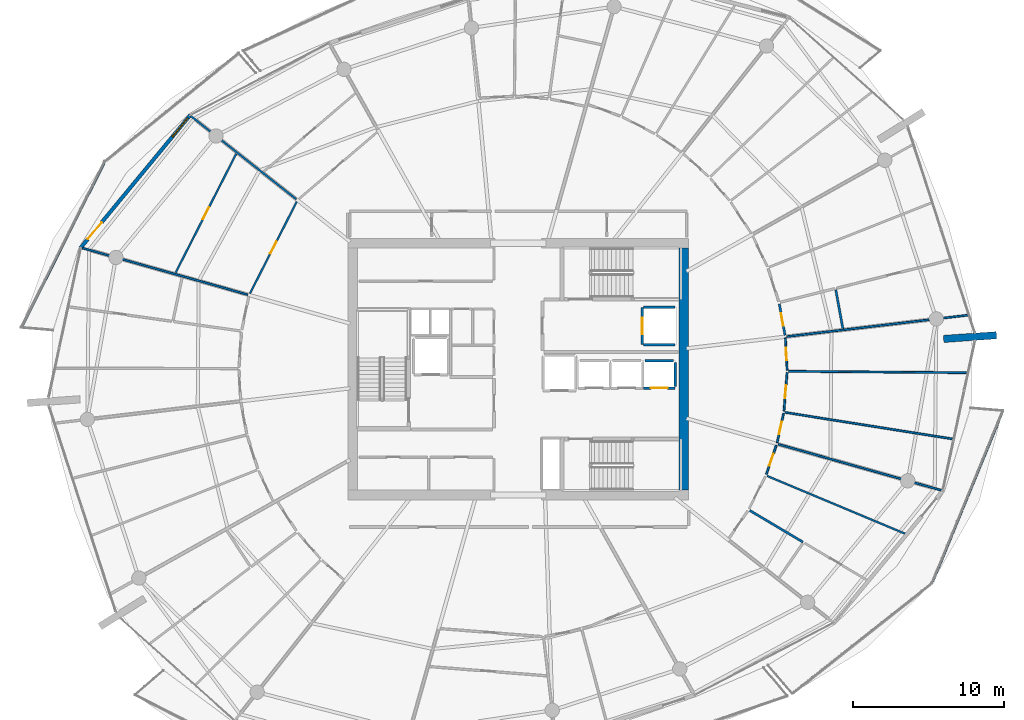
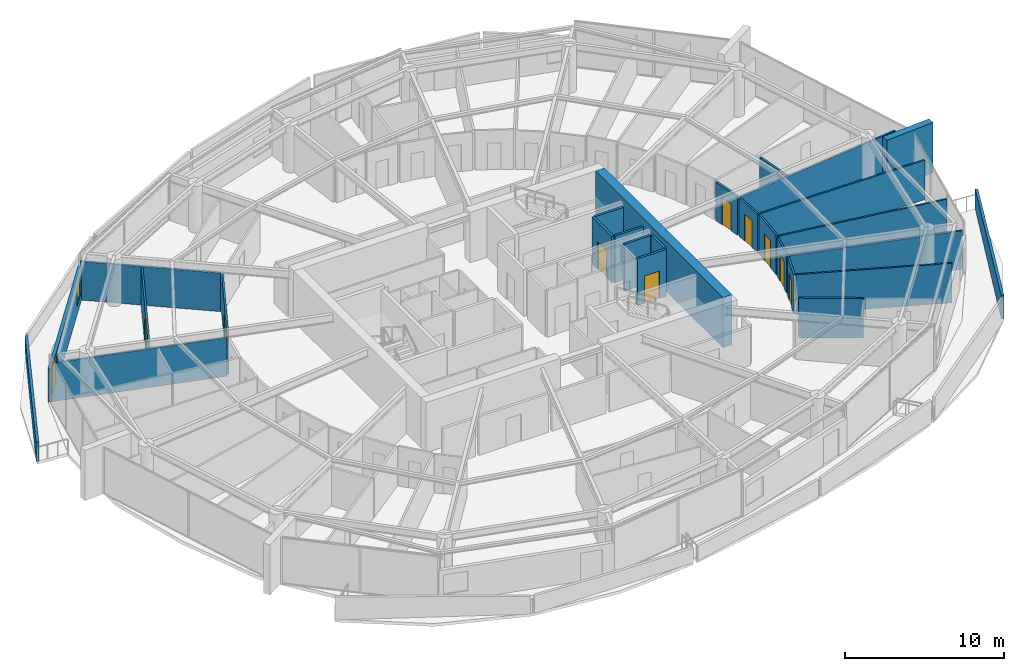
# One storey, part 20 of 29: 27 walls, 10 doors, 1 window, 11 openings.
"""IFC4 building model written with IfcOpenShell, lengths in metres."""

from ifc_helpers import new_model, si_unit, direction, frame, frame_2d, origin, place, context, subcontext, project, spatial, polyline, rectangle, outline, extrude, material, layer, layer_set, type_object, element, fill, save


model = new_model("IFC4")

# Units and contexts
model_context = context("Model", 3, precision=1e-05, world=origin(), true_north=direction((0.0, 1.0)))
body_context = subcontext(model_context, "Body", "Model", "MODEL_VIEW")
ifc_project = project(units=[si_unit("LENGTHUNIT", "METRE"), si_unit("AREAUNIT", "SQUARE_METRE"), si_unit("VOLUMEUNIT", "CUBIC_METRE"), si_unit("PLANEANGLEUNIT", "RADIAN"), si_unit("MASSUNIT", "GRAM", prefix="KILO")], contexts=[model_context])

# Site, building, storey
site_placement = place(None, origin())
site = spatial("IfcSite", under=ifc_project, at=site_placement, CompositionType="ELEMENT")
building_placement = place(site_placement, origin())
building = spatial("IfcBuilding", under=site, at=building_placement, Name="Kazma Halo Residences", CompositionType="ELEMENT")
storey_placement = place(building_placement, frame((0.0, 0.0, 252.10009765625)))
storey = spatial("IfcBuildingStorey", under=building, at=storey_placement, Name="L63", CompositionType="ELEMENT", Elevation=252.10009765625)

# Walls
ifc_material_1 = material(Name="White Concrete C50/60 Balustrade", Category="concrete")
ifc_layer_1 = layer(ifc_material_1, 0.179931640625)
ifc_layer_set_1 = layer_set([ifc_layer_1], Name="White Concrete C50/60 Balustrade")
wall_type_1 = type_object("IfcWallType", Name="WL-BAL-WAVE-180", PredefinedType="PARAPET", material=ifc_layer_set_1)
wall_1_placement = place(storey_placement, frame((21.00927734375, 55.617919921875, 0.0), z_axis=(0.0, 0.0, 1.0), x_axis=(-0.449276289184, -0.893392867655, 0.0)))
element("IfcWall", 1, at=wall_1_placement, inside=storey, type_object=wall_type_1, Name="L63 white wave balustrade wall NW.2", PredefinedType="PARAPET", context=body_context, shape_type="SweptSolid", body=[
    extrude(outline(polyline([(0.0, 0.0), (12.160400390625, 0.0), (12.160400390625, 1.48291015625), (6.080078125, 1.283935546875), (0.0, 1.14794921875), (0.0, 0.0)])), frame((0.0, 0.08984375, 0.0), z_axis=(0.0, -1.0, 0.0), x_axis=(1.0, 0.0, 0.0)), (0.0, 0.0, 1.0), 0.179931640625),
])
wall_2_placement = place(storey_placement, frame((75.83837890625, 27.94970703125, 0.0), z_axis=(0.0, 0.0, 1.0), x_axis=(0.3796059491, 0.92514827104, 0.0)))
element("IfcWall", 2, at=wall_2_placement, inside=storey, type_object=wall_type_1, Name="L63 white wave balustrade wall SE.2", PredefinedType="PARAPET", context=body_context, shape_type="SweptSolid", body=[
    extrude(outline(polyline([(0.0, 0.0), (12.208740234375, 0.0), (12.20849609375, 1.496826171875), (6.104248046875, 1.69580078125), (0.0, 1.831787109375), (0.0, 0.0)])), frame((0.0, 0.08984375, 0.0), z_axis=(0.0, -1.0, 0.0), x_axis=(1.0, 0.0, 0.0)), (0.0, 0.0, 1.0), 0.179931640625),
])
ifc_material_2 = material(Name="Pale Concrete C60/75", Category="concrete")
ifc_layer_2 = layer(ifc_material_2, 0.47998046875)
ifc_layer_set_2 = layer_set([ifc_layer_2], Name="Pale Concrete C60/75")
wall_type_2 = type_object("IfcWallType", Name="WL-BLADE-480", PredefinedType="SOLIDWALL", material=ifc_layer_set_2)
wall_3_placement = place(storey_placement, frame((76.5625, 43.997314453125, 0.0), z_axis=(0.0, 0.0, 1.0), x_axis=(0.997563824095, 0.069759707979, 0.0)))
element("IfcWall", 3, at=wall_3_placement, inside=storey, type_object=wall_type_2, Name="L63 pale concrete structural blade fin wall BW-04", PredefinedType="SOLIDWALL", context=body_context, shape_type="SweptSolid", body=[
    extrude(rectangle(XDim=3.499755859375, YDim=0.47998046875, at=frame_2d((1.75, 0.0))), origin(), (0.0, 0.0, 1.0), 3.849853515625),
])
ifc_material_3 = material(Name="Concrete C60/75", Category="concrete")
ifc_layer_3 = layer(ifc_material_3, 0.64990234375)
ifc_layer_set_3 = layer_set([ifc_layer_3], Name="Concrete C60/75")
wall_type_3 = type_object("IfcWallType", Name="WL-CORE-650", PredefinedType="SHEAR", material=ifc_layer_set_3)
wall_4_placement = place(storey_placement, frame((59.375, 34.0, 0.0), z_axis=(0.0, 0.0, 1.0), x_axis=(0.0, 1.0, 0.0)))
element("IfcWall", 4, at=wall_4_placement, inside=storey, type_object=wall_type_3, Name="L63 central core shear wall E", PredefinedType="SHEAR", context=body_context, shape_type="SweptSolid", body=[
    extrude(rectangle(XDim=16.0, YDim=0.64990234375, at=frame_2d((8.0, 0.0))), origin(), (0.0, 0.0, 1.0), 3.849853515625),
])

# Wall, openings, door, window
ifc_material_4 = material(Name="Insulated Pale-Metal Composite Wall")
ifc_layer_4 = layer(ifc_material_4, 0.239990234375)
ifc_layer_set_4 = layer_set([ifc_layer_4], Name="Insulated Pale-Metal Composite Wall")
wall_type_4 = type_object("IfcWallType", Name="WL-EXT-HOST-240", PredefinedType="SOLIDWALL", material=ifc_layer_set_4)
wall_5_placement = place(storey_placement, frame((26.7421875, 58.822021484375, 0.0), z_axis=(0.0, 0.0, 1.0), x_axis=(-0.636680093065, -0.771128043255, 0.0)))
wall_5 = element("IfcWall", 5, at=wall_5_placement, inside=storey, type_object=wall_type_4, Name="L63 exterior terrace-access wall B06", PredefinedType="SOLIDWALL", context=body_context, shape_type="SweptSolid", body=[
    extrude(rectangle(XDim=11.438232421875, YDim=0.239990234375, at=frame_2d((5.71923828125, 0.0))), origin(), (0.0, 0.0, 1.0), 2.539794921875),
])
opening_1_placement = place(wall_5_placement, frame((9.21826171875, 0.0, 0.0)))
opening_1 = element("IfcOpeningElement", 6, at=opening_1_placement, cuts=wall_5, Name="Opening DTR-1600", PredefinedType="OPENING", context=body_context, shape_type="SweptSolid", body=[
    extrude(rectangle(XDim=1.449951171875, YDim=2.14990234375, at=frame_2d((0.72509765625, 1.074951171875))), frame((0.0, 0.1298828125, 0.0), z_axis=(0.0, -1.0, 0.0), x_axis=(1.0, 0.0, 0.0)), (0.0, 0.0, 1.0), 0.260009765625),
])
opening_2_placement = place(wall_5_placement, frame((0.280029296875, 0.0, 0.64990234375)))
opening_2 = element("IfcOpeningElement", 7, at=opening_2_placement, cuts=wall_5, Name="Opening W-1800", PredefinedType="OPENING", context=body_context, shape_type="SweptSolid", body=[
    extrude(rectangle(XDim=1.60009765625, YDim=1.5, at=frame_2d((0.800048828125, 0.75))), frame((0.0, 0.1298828125, 0.0), z_axis=(0.0, -1.0, 0.0), x_axis=(1.0, 0.0, 0.0)), (0.0, 0.0, 1.0), 0.260009765625),
])
ifc_material_5 = material(Name="Aluminium AW-6063 T6 Double-Glazed Terrace Door", Category="aluminium")
door_type_1 = type_object("IfcDoorType", Name="DR-EXT-TERR-1600", OperationType="NOTDEFINED", PredefinedType="DOOR", material=ifc_material_5)
door_1_placement = place(opening_1_placement, origin())
door_1 = element("IfcDoor", 8, at=door_1_placement, inside=storey, type_object=door_type_1, Name="L63 B06 balcony terrace door", OperationType="DOUBLE_DOOR_SLIDING", OverallHeight=2.14990234375, OverallWidth=1.449951171875, PredefinedType="DOOR", context=body_context, shape_type="SweptSolid", body=[
    extrude(rectangle(XDim=1.449951171875, YDim=2.14990234375, at=frame_2d((0.72509765625, 1.074951171875))), frame((0.0, 0.02490234375, 0.0), z_axis=(0.0, -1.0, 0.0), x_axis=(1.0, 0.0, 0.0)), (0.0, 0.0, 1.0), 0.050048828125),
])
fill(opening_1, door_1)
ifc_material_6 = material(Name="Clear Triple-Silver Low-E Glass in Aluminium AW-6063 T6 Frame", Category="aluminium")
window_type = type_object("IfcWindowType", Name="WIN-RES-1800", PartitioningType="DOUBLE_PANEL_VERTICAL", PredefinedType="WINDOW", material=ifc_material_6)
window_placement = place(opening_2_placement, origin())
window = element("IfcWindow", 9, at=window_placement, inside=storey, type_object=window_type, Name="L63 B06 apartment window", OverallHeight=1.5, OverallWidth=1.60009765625, PartitioningType="SINGLE_PANEL", PredefinedType="WINDOW", context=body_context, shape_type="SweptSolid", body=[
    extrude(rectangle(XDim=1.60009765625, YDim=1.5, at=frame_2d((0.800048828125, 0.75))), frame((0.0, 0.030029296875, 0.0), z_axis=(0.0, -1.0, 0.0), x_axis=(1.0, 0.0, 0.0)), (0.0, 0.0, 1.0), 0.06005859375),
])
fill(opening_2, window)

# Wall, opening, door
ifc_material_7 = material(Name="Fire-Rated Blockwork Masonry", Category="masonry")
ifc_layer_5 = layer(ifc_material_7, 0.199951171875)
ifc_layer_set_5 = layer_set([ifc_layer_5], Name="Fire-Rated Blockwork Masonry")
wall_type_5 = type_object("IfcWallType", Name="WL-FLB-200", PredefinedType="PARTITIONING", material=ifc_layer_set_5)
wall_6_placement = place(storey_placement, frame((58.804931640625, 40.7451171875, 0.0), z_axis=(0.0, 0.0, 1.0), x_axis=(-1.0, 0.0, 0.0)))
wall_6 = element("IfcWall", 10, at=wall_6_placement, inside=storey, type_object=wall_type_5, Name="L63 lift shaft PH-03 front wall", PredefinedType="PARTITIONING", context=body_context, shape_type="SweptSolid", body=[
    extrude(rectangle(XDim=2.10986328125, YDim=0.159912109375, at=frame_2d((1.054931640625, 0.0))), origin(), (0.0, 0.0, 1.0), 3.58984375),
])
opening_3_placement = place(wall_6_placement, frame((0.5048828125, 0.0, 0.0)))
opening_3 = element("IfcOpeningElement", 11, at=opening_3_placement, cuts=wall_6, Name="Opening LD-PH-03", PredefinedType="OPENING", context=body_context, shape_type="SweptSolid", body=[
    extrude(rectangle(XDim=1.10009765625, YDim=2.10009765625, at=frame_2d((0.550048828125, 1.050048828125))), frame((0.0, 0.08984375, 0.0), z_axis=(0.0, -1.0, 0.0), x_axis=(1.0, 0.0, 0.0)), (0.0, 0.0, 1.0), 0.179931640625),
])
ifc_material_8 = material(Name="Stainless Steel Fire-Rated", Category="steel")
door_type_2 = type_object("IfcDoorType", Name="DR-LIFT-SLD-1100", OperationType="DOUBLE_DOOR_SLIDING", PredefinedType="DOOR", material=ifc_material_8)
door_2_placement = place(opening_3_placement, origin())
door_2 = element("IfcDoor", 12, at=door_2_placement, inside=storey, type_object=door_type_2, Name="L63 lift PH-03 sliding landing door", OperationType="DOUBLE_DOOR_SLIDING", OverallHeight=2.10009765625, OverallWidth=1.10009765625, PredefinedType="DOOR", context=body_context, shape_type="SweptSolid", body=[
    extrude(rectangle(XDim=1.10009765625, YDim=2.10009765625, at=frame_2d((0.550048828125, 1.050048828125))), frame((0.0, 0.02490234375, 0.0), z_axis=(0.0, -1.0, 0.0), x_axis=(1.0, 0.0, 0.0)), (0.0, 0.0, 1.0), 0.050048828125),
])
fill(opening_3, door_2)

# Walls
wall_7_placement = place(storey_placement, frame((58.804931640625, 40.844970703125, 0.0), z_axis=(0.0, 0.0, 1.0), x_axis=(0.0, 1.0, 0.0)))
element("IfcWall", 13, at=wall_7_placement, inside=storey, type_object=wall_type_5, Name="L63 lift shaft PH-03 side wall E", PredefinedType="PARTITIONING", context=body_context, shape_type="SweptSolid", body=[
    extrude(rectangle(XDim=1.610107421875, YDim=0.159912109375, at=frame_2d((0.80517578125, 0.0))), origin(), (0.0, 0.0, 1.0), 3.58984375),
])
wall_8_placement = place(storey_placement, frame((56.794921875, 42.554931640625, 0.0), z_axis=(0.0, 0.0, 1.0), x_axis=(1.0, 0.0, 0.0)))
element("IfcWall", 14, at=wall_8_placement, inside=storey, type_object=wall_type_5, Name="L63 lift shaft PH-03 side wall N", PredefinedType="PARTITIONING", context=body_context, shape_type="SweptSolid", body=[
    extrude(rectangle(XDim=1.91015625, YDim=0.159912109375, at=frame_2d((0.955078125, 0.0))), origin(), (0.0, 0.0, 1.0), 3.58984375),
])

# Wall, opening, door
wall_9_placement = place(storey_placement, frame((56.6201171875, 46.080078125, 0.0), z_axis=(0.0, 0.0, 1.0), x_axis=(0.0, -1.0, 0.0)))
wall_9 = element("IfcWall", 15, at=wall_9_placement, inside=storey, type_object=wall_type_5, Name="L63 lift shaft FL-02 front wall", PredefinedType="PARTITIONING", context=body_context, shape_type="SweptSolid", body=[
    extrude(rectangle(XDim=2.4599609375, YDim=0.159912109375, at=frame_2d((1.22998046875, 0.0))), origin(), (0.0, 0.0, 1.0), 3.58984375),
])
opening_4_placement = place(wall_9_placement, frame((0.679931640625, 0.0, 0.0)))
opening_4 = element("IfcOpeningElement", 16, at=opening_4_placement, cuts=wall_9, Name="Opening LD-FL-02", PredefinedType="OPENING", context=body_context, shape_type="SweptSolid", body=[
    extrude(rectangle(XDim=1.10009765625, YDim=2.10009765625, at=frame_2d((0.550048828125, 1.050048828125))), frame((0.0, 0.08984375, 0.0), z_axis=(0.0, -1.0, 0.0), x_axis=(1.0, 0.0, 0.0)), (0.0, 0.0, 1.0), 0.179931640625),
])
door_3_placement = place(opening_4_placement, origin())
door_3 = element("IfcDoor", 17, at=door_3_placement, inside=storey, type_object=door_type_2, Name="L63 lift FL-02 sliding landing door", OperationType="DOUBLE_DOOR_SLIDING", OverallHeight=2.10009765625, OverallWidth=1.10009765625, PredefinedType="DOOR", context=body_context, shape_type="SweptSolid", body=[
    extrude(rectangle(XDim=1.10009765625, YDim=2.10009765625, at=frame_2d((0.550048828125, 1.050048828125))), frame((0.0, 0.02490234375, 0.0), z_axis=(0.0, -1.0, 0.0), x_axis=(1.0, 0.0, 0.0)), (0.0, 0.0, 1.0), 0.050048828125),
])
fill(opening_4, door_3)

# Walls
for number, where, z_axis, x_axis, name in (
    (18, (56.719970703125, 46.080078125, 0.0), (0.0, 0.0, 1.0), (1.0, 0.0, 0.0), "L63 lift shaft FL-02 side wall N"),
    (19, (56.719970703125, 43.6201171875, 0.0), (0.0, 0.0, 1.0), (1.0, 0.0, 0.0), "L63 lift shaft FL-02 side wall S"),
):
    element("IfcWall", number, at=place(storey_placement, frame(where, z_axis=z_axis, x_axis=x_axis)), inside=storey, type_object=wall_type_5, Name=name, PredefinedType="PARTITIONING", context=body_context, shape_type="SweptSolid", body=[
        extrude(rectangle(XDim=2.06005859375, YDim=0.159912109375, at=frame_2d((1.030029296875, 0.0))), origin(), (0.0, 0.0, 1.0), 3.58984375),
    ])
ifc_material_9 = material(Name="Gypsum Plasterboard Partition")
ifc_layer_6 = layer(ifc_material_9, 0.125)
ifc_layer_set_6 = layer_set([ifc_layer_6], Name="Gypsum Plasterboard Partition")
wall_type_6 = type_object("IfcWallType", Name="WL-PART-125", PredefinedType="PARTITIONING", material=ifc_layer_set_6)
wall_10_placement = place(storey_placement, frame((33.743408203125, 53.239013671875, 0.0), z_axis=(0.0, 0.0, 1.0), x_axis=(-0.785324118062, 0.619084832305, 0.0)))
element("IfcWall", 20, at=wall_10_placement, inside=storey, type_object=wall_type_6, Name="L63 Apartment 1 radial partition 5", PredefinedType="PARTITIONING", context=body_context, shape_type="SweptSolid", body=[
    extrude(rectangle(XDim=8.9306640625, YDim=0.125, at=frame_2d((4.46533203125, 0.0))), origin(), (0.0, 0.0, 1.0), 2.956787109375),
])

# Wall, opening, door
wall_11_placement = place(storey_placement, frame((33.77197265625, 53.0791015625, 0.0), z_axis=(0.0, 0.0, 1.0), x_axis=(-0.454012060349, -0.890995538181, 0.0)))
wall_11 = element("IfcWall", 21, at=wall_11_placement, inside=storey, type_object=wall_type_6, Name="L63 Apartment 1 North Dressing Wardrobe hall wall", PredefinedType="PARTITIONING", context=body_context, shape_type="SweptSolid", body=[
    extrude(rectangle(XDim=6.824462890625, YDim=0.125, at=frame_2d((3.412109375, 0.0))), origin(), (0.0, 0.0, 1.0), 2.956787109375),
])
opening_5_placement = place(wall_11_placement, frame((2.962158203125, 0.0, 0.0)))
opening_5 = element("IfcOpeningElement", 22, at=opening_5_placement, cuts=wall_11, Name="Opening DI-950", PredefinedType="OPENING", context=body_context, shape_type="SweptSolid", body=[
    extrude(rectangle(XDim=0.89990234375, YDim=2.080078125, at=frame_2d((0.449951171875, 1.0400390625))), frame((0.0, 0.072509765625, 0.0), z_axis=(0.0, -1.0, 0.0), x_axis=(1.0, 0.0, 0.0)), (0.0, 0.0, 1.0), 0.14501953125),
])
ifc_material_10 = material(Name="Timber Veneer Flush Leaf", Category="wood")
door_type_3 = type_object("IfcDoorType", Name="DR-INT-950", OperationType="NOTDEFINED", PredefinedType="DOOR", material=ifc_material_10)
door_4_placement = place(opening_5_placement, origin())
door_4 = element("IfcDoor", 23, at=door_4_placement, inside=storey, type_object=door_type_3, Name="L63 Apartment 1 North Dressing Wardrobe door", OperationType="SINGLE_SWING_LEFT", OverallHeight=2.080078125, OverallWidth=0.89990234375, PredefinedType="DOOR", context=body_context, shape_type="SweptSolid", body=[
    extrude(rectangle(XDim=0.89990234375, YDim=2.080078125, at=frame_2d((0.449951171875, 1.0400390625))), frame((0.0, 0.02490234375, 0.0), z_axis=(0.0, -1.0, 0.0), x_axis=(1.0, 0.0, 0.0)), (0.0, 0.0, 1.0), 0.050048828125),
])
fill(opening_5, door_4)

wall_12_placement = place(storey_placement, frame((29.763671875, 56.239013671875, 0.0), z_axis=(0.0, 0.0, 1.0), x_axis=(-0.453980126594, -0.891011809494, 0.0)))
wall_12 = element("IfcWall", 24, at=wall_12_placement, inside=storey, type_object=wall_type_6, Name="L63 Apartment 1 South Master Bedroom divider wall", PredefinedType="PARTITIONING", context=body_context, shape_type="SweptSolid", body=[
    extrude(rectangle(XDim=8.81591796875, YDim=0.125, at=frame_2d((4.407958984375, 0.0))), origin(), (0.0, 0.0, 1.0), 2.956787109375),
])
opening_6_placement = place(wall_12_placement, frame((3.9580078125, 0.0, 0.0)))
opening_6 = element("IfcOpeningElement", 25, at=opening_6_placement, cuts=wall_12, Name="Opening DI-950", PredefinedType="OPENING", context=body_context, shape_type="SweptSolid", body=[
    extrude(rectangle(XDim=0.89990234375, YDim=2.080078125, at=frame_2d((0.449951171875, 1.0400390625))), frame((0.0, 0.072509765625, 0.0), z_axis=(0.0, -1.0, 0.0), x_axis=(1.0, 0.0, 0.0)), (0.0, 0.0, 1.0), 0.14501953125),
])
door_5_placement = place(opening_6_placement, origin())
door_5 = element("IfcDoor", 26, at=door_5_placement, inside=storey, type_object=door_type_3, Name="L63 Apartment 1 South Master Bedroom door", OperationType="SINGLE_SWING_RIGHT", OverallHeight=2.080078125, OverallWidth=0.89990234375, PredefinedType="DOOR", context=body_context, shape_type="SweptSolid", body=[
    extrude(rectangle(XDim=0.89990234375, YDim=2.080078125, at=frame_2d((0.449951171875, 1.0400390625))), frame((0.0, 0.02490234375, 0.0), z_axis=(0.0, -1.0, 0.0), x_axis=(1.0, 0.0, 0.0)), (0.0, 0.0, 1.0), 0.050048828125),
])
fill(opening_6, door_5)

# Walls
wall_13_placement = place(storey_placement, frame((30.527587890625, 46.927734375, 0.0), z_axis=(0.0, 0.0, 1.0), x_axis=(-0.962454146261, 0.271444315367, 0.0)))
element("IfcWall", 27, at=wall_13_placement, inside=storey, type_object=wall_type_6, Name="L63 Apartment 1 radial partition 6", PredefinedType="PARTITIONING", context=body_context, shape_type="SweptSolid", body=[
    extrude(rectangle(XDim=11.341552734375, YDim=0.125, at=frame_2d((5.6708984375, 0.0))), origin(), (0.0, 0.0, 1.0), 2.956787109375),
])
wall_14_placement = place(storey_placement, frame((64.887939453125, 34.93310546875, 0.0), z_axis=(0.0, 0.0, 1.0), x_axis=(0.922480265394, -0.386044246114, 0.0)))
element("IfcWall", 28, at=wall_14_placement, inside=storey, type_object=wall_type_6, Name="L63 Apartment 3 suite divider 13", PredefinedType="PARTITIONING", context=body_context, shape_type="SweptSolid", body=[
    extrude(rectangle(XDim=9.884765625, YDim=0.125, at=frame_2d((4.9423828125, 0.0))), origin(), (0.0, 0.0, 1.0), 3.02978515625),
])

# Wall, opening, door
wall_15_placement = place(storey_placement, frame((64.831298828125, 35.043212890625, 0.0), z_axis=(0.0, 0.0, 1.0), x_axis=(0.329289900501, 0.944228871317, 0.0)))
wall_15 = element("IfcWall", 29, at=wall_15_placement, inside=storey, type_object=wall_type_6, Name="L63 Apartment 3 Primary Bedroom hall wall", PredefinedType="PARTITIONING", context=body_context, shape_type="SweptSolid", body=[
    extrude(rectangle(XDim=2.03076171875, YDim=0.125, at=frame_2d((1.015380859375, 0.0))), origin(), (0.0, 0.0, 1.0), 2.956787109375),
])
opening_7_placement = place(wall_15_placement, frame((0.590576171875, 0.0, 0.0)))
opening_7 = element("IfcOpeningElement", 30, at=opening_7_placement, cuts=wall_15, Name="Opening DB-900", PredefinedType="OPENING", context=body_context, shape_type="SweptSolid", body=[
    extrude(rectangle(XDim=0.85009765625, YDim=2.06005859375, at=frame_2d((0.425048828125, 1.030029296875))), frame((0.0, 0.072509765625, 0.0), z_axis=(0.0, -1.0, 0.0), x_axis=(1.0, 0.0, 0.0)), (0.0, 0.0, 1.0), 0.14501953125),
])
ifc_material_11 = material(Name="Moisture-Sealed Timber Leaf", Category="wood")
door_type_4 = type_object("IfcDoorType", Name="DR-BTH-900", OperationType="NOTDEFINED", PredefinedType="DOOR", material=ifc_material_11)
door_6_placement = place(opening_7_placement, origin())
door_6 = element("IfcDoor", 31, at=door_6_placement, inside=storey, type_object=door_type_4, Name="L63 Apartment 3 Primary Bedroom door", OperationType="SINGLE_SWING_RIGHT", OverallHeight=2.06005859375, OverallWidth=0.85009765625, PredefinedType="DOOR", context=body_context, shape_type="SweptSolid", body=[
    extrude(rectangle(XDim=0.85009765625, YDim=2.06005859375, at=frame_2d((0.425048828125, 1.030029296875))), frame((0.0, 0.02490234375, 0.0), z_axis=(0.0, -1.0, 0.0), x_axis=(1.0, 0.0, 0.0)), (0.0, 0.0, 1.0), 0.050048828125),
])
fill(opening_7, door_6)

# Walls
wall_16_placement = place(storey_placement, frame((65.629150390625, 37.028076171875, 0.0), z_axis=(0.0, 0.0, 1.0), x_axis=(0.962453772483, -0.271445640659, 0.0)))
element("IfcWall", 32, at=wall_16_placement, inside=storey, type_object=wall_type_6, Name="L63 Apartment 3 radial partition 14", PredefinedType="PARTITIONING", context=body_context, shape_type="SweptSolid", body=[
    extrude(rectangle(XDim=11.1787109375, YDim=0.125, at=frame_2d((5.58935546875, 0.0))), origin(), (0.0, 0.0, 1.0), 2.956787109375),
])
wall_17_placement = place(storey_placement, frame((66.08154296875, 39.135986328125, 0.0), z_axis=(0.0, 0.0, 1.0), x_axis=(0.987690506507, -0.156420789395, 0.0)))
element("IfcWall", 33, at=wall_17_placement, inside=storey, type_object=wall_type_6, Name="L63 Apartment 3 bay wall 1 14", PredefinedType="PARTITIONING", context=body_context, shape_type="SweptSolid", body=[
    extrude(rectangle(XDim=11.27197265625, YDim=0.125, at=frame_2d((5.635986328125, 0.0))), origin(), (0.0, 0.0, 1.0), 3.02978515625),
])
wall_18_placement = place(storey_placement, frame((66.306396484375, 41.856201171875, 0.0), z_axis=(0.0, 0.0, 1.0), x_axis=(0.999969195211, -0.00784911645, 0.0)))
element("IfcWall", 34, at=wall_18_placement, inside=storey, type_object=wall_type_6, Name="L63 Apartment 3 bay wall 2 14", PredefinedType="PARTITIONING", context=body_context, shape_type="SweptSolid", body=[
    extrude(rectangle(XDim=11.8505859375, YDim=0.125, at=frame_2d((5.92529296875, 0.0))), origin(), (0.0, 0.0, 1.0), 3.02978515625),
])

# Wall, opening, door
wall_19_placement = place(storey_placement, frame((65.550048828125, 37.13330078125, 0.0), z_axis=(0.0, 0.0, 1.0), x_axis=(0.214390122188, 0.976748112621, 0.0)))
wall_19 = element("IfcWall", 35, at=wall_19_placement, inside=storey, type_object=wall_type_6, Name="L63 Apartment 3 East Bedroom hall wall", PredefinedType="PARTITIONING", context=body_context, shape_type="SweptSolid", body=[
    extrude(rectangle(XDim=1.98486328125, YDim=0.125, at=frame_2d((0.992431640625, 0.0))), origin(), (0.0, 0.0, 1.0), 2.956787109375),
])
opening_8_placement = place(wall_19_placement, frame((0.5673828125, 0.0, 0.0)))
opening_8 = element("IfcOpeningElement", 36, at=opening_8_placement, cuts=wall_19, Name="Opening DB-900", PredefinedType="OPENING", context=body_context, shape_type="SweptSolid", body=[
    extrude(rectangle(XDim=0.85009765625, YDim=2.06005859375, at=frame_2d((0.425048828125, 1.030029296875))), frame((0.0, 0.072509765625, 0.0), z_axis=(0.0, -1.0, 0.0), x_axis=(1.0, 0.0, 0.0)), (0.0, 0.0, 1.0), 0.14501953125),
])
door_7_placement = place(opening_8_placement, origin())
door_7 = element("IfcDoor", 37, at=door_7_placement, inside=storey, type_object=door_type_4, Name="L63 Apartment 3 East Bedroom door", OperationType="SINGLE_SWING_LEFT", OverallHeight=2.06005859375, OverallWidth=0.85009765625, PredefinedType="DOOR", context=body_context, shape_type="SweptSolid", body=[
    extrude(rectangle(XDim=0.85009765625, YDim=2.06005859375, at=frame_2d((0.425048828125, 1.030029296875))), frame((0.0, 0.02490234375, 0.0), z_axis=(0.0, -1.0, 0.0), x_axis=(1.0, 0.0, 0.0)), (0.0, 0.0, 1.0), 0.050048828125),
])
fill(opening_8, door_7)

wall_20_placement = place(storey_placement, frame((65.999267578125, 39.22998046875, 0.0), z_axis=(0.0, 0.0, 1.0), x_axis=(0.082341873898, 0.996604141976, 0.0)))
wall_20 = element("IfcWall", 38, at=wall_20_placement, inside=storey, type_object=wall_type_6, Name="L63 Apartment 3 West Dressing Wardrobe hall wall", PredefinedType="PARTITIONING", context=body_context, shape_type="SweptSolid", body=[
    extrude(rectangle(XDim=2.555908203125, YDim=0.125, at=frame_2d((1.27783203125, 0.0))), origin(), (0.0, 0.0, 1.0), 3.02978515625),
])
opening_9_placement = place(wall_20_placement, frame((0.85302734375, 0.0, 0.0)))
opening_9 = element("IfcOpeningElement", 39, at=opening_9_placement, cuts=wall_20, Name="Opening DB-900", PredefinedType="OPENING", context=body_context, shape_type="SweptSolid", body=[
    extrude(rectangle(XDim=0.85009765625, YDim=2.06005859375, at=frame_2d((0.425048828125, 1.030029296875))), frame((0.0, 0.072509765625, 0.0), z_axis=(0.0, -1.0, 0.0), x_axis=(1.0, 0.0, 0.0)), (0.0, 0.0, 1.0), 0.14501953125),
])
door_8_placement = place(opening_9_placement, origin())
door_8 = element("IfcDoor", 40, at=door_8_placement, inside=storey, type_object=door_type_4, Name="L63 Apartment 3 West Dressing Wardrobe door", OperationType="SINGLE_SWING_RIGHT", OverallHeight=2.06005859375, OverallWidth=0.85009765625, PredefinedType="DOOR", context=body_context, shape_type="SweptSolid", body=[
    extrude(rectangle(XDim=0.85009765625, YDim=2.06005859375, at=frame_2d((0.425048828125, 1.030029296875))), frame((0.0, 0.02490234375, 0.0), z_axis=(0.0, -1.0, 0.0), x_axis=(1.0, 0.0, 0.0)), (0.0, 0.0, 1.0), 0.050048828125),
])
fill(opening_9, door_8)

wall_21_placement = place(storey_placement, frame((66.2119140625, 41.936767578125, 0.0), z_axis=(0.0, 0.0, 1.0), x_axis=(-0.054847218402, 0.998494758441, 0.0)))
wall_21 = element("IfcWall", 41, at=wall_21_placement, inside=storey, type_object=wall_type_6, Name="L63 Apartment 3 North Bedroom hall wall", PredefinedType="PARTITIONING", context=body_context, shape_type="SweptSolid", body=[
    extrude(rectangle(XDim=2.127685546875, YDim=0.125, at=frame_2d((1.06396484375, 0.0))), origin(), (0.0, 0.0, 1.0), 2.956787109375),
])
opening_10_placement = place(wall_21_placement, frame((0.638916015625, 0.0, 0.0)))
opening_10 = element("IfcOpeningElement", 42, at=opening_10_placement, cuts=wall_21, Name="Opening DB-900", PredefinedType="OPENING", context=body_context, shape_type="SweptSolid", body=[
    extrude(rectangle(XDim=0.85009765625, YDim=2.06005859375, at=frame_2d((0.425048828125, 1.030029296875))), frame((0.0, 0.072509765625, 0.0), z_axis=(0.0, -1.0, 0.0), x_axis=(1.0, 0.0, 0.0)), (0.0, 0.0, 1.0), 0.14501953125),
])
door_9_placement = place(opening_10_placement, origin())
door_9 = element("IfcDoor", 43, at=door_9_placement, inside=storey, type_object=door_type_4, Name="L63 Apartment 3 North Bedroom door", OperationType="SINGLE_SWING_LEFT", OverallHeight=2.06005859375, OverallWidth=0.85009765625, PredefinedType="DOOR", context=body_context, shape_type="SweptSolid", body=[
    extrude(rectangle(XDim=0.85009765625, YDim=2.06005859375, at=frame_2d((0.425048828125, 1.030029296875))), frame((0.0, 0.02490234375, 0.0), z_axis=(0.0, -1.0, 0.0), x_axis=(1.0, 0.0, 0.0)), (0.0, 0.0, 1.0), 0.050048828125),
])
fill(opening_10, door_9)

# Walls
wall_22_placement = place(storey_placement, frame((66.18994140625, 44.153076171875, 0.0), z_axis=(0.0, 0.0, 1.0), x_axis=(0.993069606842, 0.117527681703, 0.0)))
element("IfcWall", 44, at=wall_22_placement, inside=storey, type_object=wall_type_6, Name="L63 Apartment 3 radial partition 15", PredefinedType="PARTITIONING", context=body_context, shape_type="SweptSolid", body=[
    extrude(rectangle(XDim=12.11279296875, YDim=0.125, at=frame_2d((6.056396484375, 0.0))), origin(), (0.0, 0.0, 1.0), 2.956787109375),
])
ifc_material_12 = material(Name="Moisture-Resistant Gypsum")
ifc_layer_7 = layer(ifc_material_12, 0.14990234375)
ifc_layer_set_7 = layer_set([ifc_layer_7], Name="Moisture-Resistant Gypsum")
wall_type_7 = type_object("IfcWallType", Name="WL-WET-150", PredefinedType="PARTITIONING", material=ifc_layer_set_7)
wall_23_placement = place(storey_placement, frame((63.7392578125, 32.64990234375, 0.0), z_axis=(0.0, 0.0, 1.0), x_axis=(0.859744174922, -0.510724929573, 0.0)))
element("IfcWall", 45, at=wall_23_placement, inside=storey, type_object=wall_type_7, Name="L63 Apartment 3 Guest Bathroom side wall", PredefinedType="PARTITIONING", context=body_context, shape_type="SweptSolid", body=[
    extrude(rectangle(XDim=4.090087890625, YDim=0.14990234375, at=frame_2d((2.044921875, 0.0))), origin(), (0.0, 0.0, 1.0), 3.02978515625),
])

# Wall, opening, door
wall_24_placement = place(storey_placement, frame((66.07275390625, 44.239501953125, 0.0), z_axis=(0.0, 0.0, 1.0), x_axis=(-0.180106044943, 0.983647199241, 0.0)))
wall_24 = element("IfcWall", 46, at=wall_24_placement, inside=storey, type_object=wall_type_7, Name="L63 Apartment 3 South En-Suite Bathroom hall wall", PredefinedType="PARTITIONING", context=body_context, shape_type="SweptSolid", body=[
    extrude(rectangle(XDim=2.11181640625, YDim=0.14990234375, at=frame_2d((1.055908203125, 0.0))), origin(), (0.0, 0.0, 1.0), 2.956787109375),
])
opening_11_placement = place(wall_24_placement, frame((0.631103515625, 0.0, 0.0)))
opening_11 = element("IfcOpeningElement", 47, at=opening_11_placement, cuts=wall_24, Name="Opening DB-900", PredefinedType="OPENING", context=body_context, shape_type="SweptSolid", body=[
    extrude(rectangle(XDim=0.85009765625, YDim=2.06005859375, at=frame_2d((0.425048828125, 1.030029296875))), frame((0.0, 0.0849609375, 0.0), z_axis=(0.0, -1.0, 0.0), x_axis=(1.0, 0.0, 0.0)), (0.0, 0.0, 1.0), 0.169921875),
])
door_10_placement = place(opening_11_placement, origin())
door_10 = element("IfcDoor", 48, at=door_10_placement, inside=storey, type_object=door_type_4, Name="L63 Apartment 3 South En-Suite Bathroom door", OperationType="SINGLE_SWING_LEFT", OverallHeight=2.06005859375, OverallWidth=0.85009765625, PredefinedType="DOOR", context=body_context, shape_type="SweptSolid", body=[
    extrude(rectangle(XDim=0.85009765625, YDim=2.06005859375, at=frame_2d((0.425048828125, 1.030029296875))), frame((0.0, 0.02490234375, 0.0), z_axis=(0.0, -1.0, 0.0), x_axis=(1.0, 0.0, 0.0)), (0.0, 0.0, 1.0), 0.050048828125),
])
fill(opening_11, door_10)

# Wall
wall_25_placement = place(storey_placement, frame((69.89599609375, 44.692138671875, 0.0), z_axis=(0.0, 0.0, 1.0), x_axis=(-0.180026361811, 0.983661785907, 0.0)))
element("IfcWall", 49, at=wall_25_placement, inside=storey, type_object=wall_type_7, Name="L63 Apartment 3 South En-Suite Bathroom back wall", PredefinedType="PARTITIONING", context=body_context, shape_type="SweptSolid", body=[
    extrude(rectangle(XDim=2.598388671875, YDim=0.14990234375, at=frame_2d((1.29931640625, 0.0))), origin(), (0.0, 0.0, 1.0), 2.956787109375),
])

save(model, "model.ifc")
